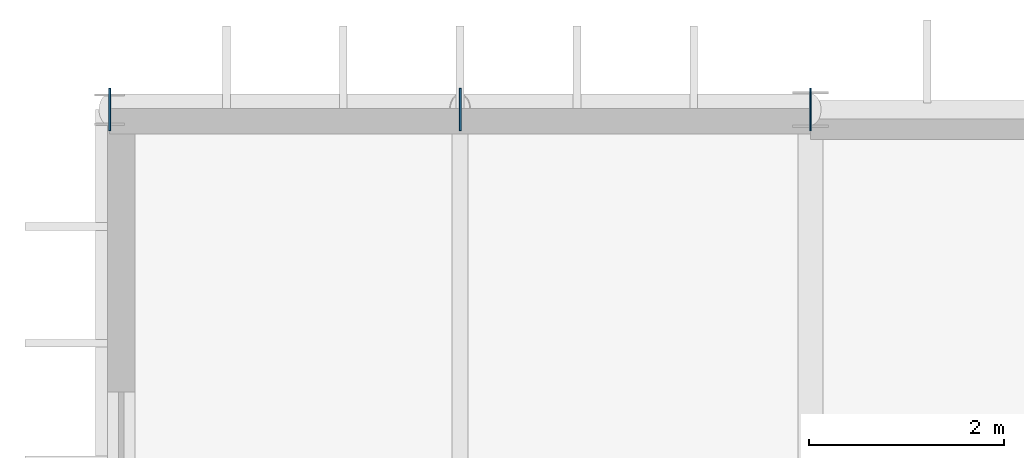
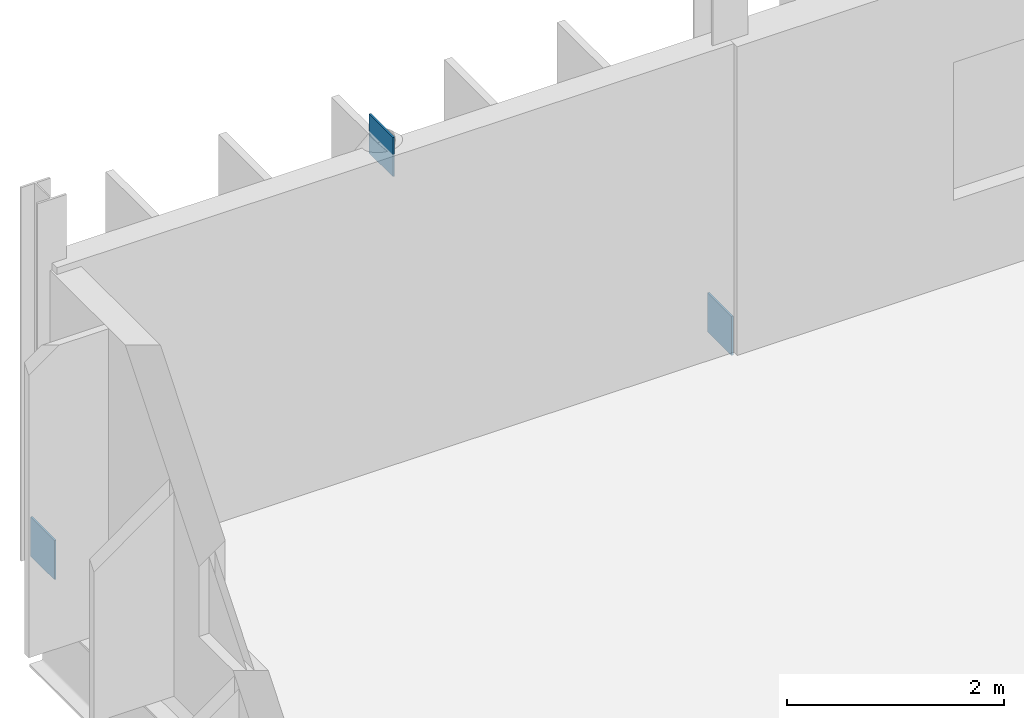
# One storey, part 87 of 119: 3 plates.
"""IFC4 building model written with IfcOpenShell, lengths in metres."""

from ifc_helpers import new_model, si_unit, direction, frame, origin, origin_2d, place, context, subcontext, project, spatial, rectangle, extrude, material, layer, layer_set, type_object, element, save


model = new_model("IFC4")

# Units and contexts
model_context = context("Model", 3, precision=1e-05, world=origin(), true_north=direction((0.0, 1.0)))
body_context = subcontext(model_context, "Body", "Model", "MODEL_VIEW")
ifc_project = project(units=[si_unit("LENGTHUNIT", "METRE"), si_unit("AREAUNIT", "SQUARE_METRE"), si_unit("VOLUMEUNIT", "CUBIC_METRE"), si_unit("PLANEANGLEUNIT", "RADIAN"), si_unit("MASSUNIT", "GRAM", prefix="KILO")], contexts=[model_context])

# Site, building, storey
site_placement = place(None, origin())
site = spatial("IfcSite", under=ifc_project, at=site_placement, CompositionType="ELEMENT")
building_placement = place(site_placement, origin())
building = spatial("IfcBuilding", under=site, at=building_placement, Name="Qelthora Terrace Specialist Clinic", CompositionType="ELEMENT")
storey_placement = place(building_placement, frame((0.0, 0.0, 4.800048828125)))
storey = spatial("IfcBuildingStorey", under=building, at=storey_placement, Name="L01", CompositionType="ELEMENT", Elevation=4.800048828125)

# Plates
ifc_material = material(Name="Steel S355", Category="steel")
ifc_layer = layer(ifc_material, 0.02001953125)
ifc_layer_set = layer_set([ifc_layer], Name="Steel S355")
plate_type = type_object("IfcPlateType", Name="PLT-GUS-480X480X20", PredefinedType="USERDEFINED", material=ifc_layer_set)
for number, where, z_axis, x_axis, name in (
    (1, (0.0, 109.199951171875, -0.0400390625), (0.0, 0.0, 1.0), (1.0, 0.0, 0.0), "Steel truss node plate GPLT-0152"),
    (2, (3.60009765625, 109.199951171875, 3.22998046875), (0.0, 0.0, 1.0), (1.0, 0.0, 0.0), "Steel truss node plate GPLT-0153"),
    (3, (7.199951171875, 109.199951171875, -0.0400390625), (0.0, 0.0, 1.0), (1.0, 0.0, 0.0), "Steel truss node plate GPLT-0154"),
):
    element("IfcPlate", number, at=place(storey_placement, frame(where, z_axis=z_axis, x_axis=x_axis)), inside=storey, type_object=plate_type, Name=name, ObjectType="GUSSET PLATE", PredefinedType="USERDEFINED", context=body_context, shape_type="SweptSolid", body=[
        extrude(rectangle(XDim=0.02001953125, YDim=0.43994140625, at=origin_2d()), origin(), (0.0, 0.0, 1.0), 0.43994140625),
    ])

save(model, "model.ifc")
